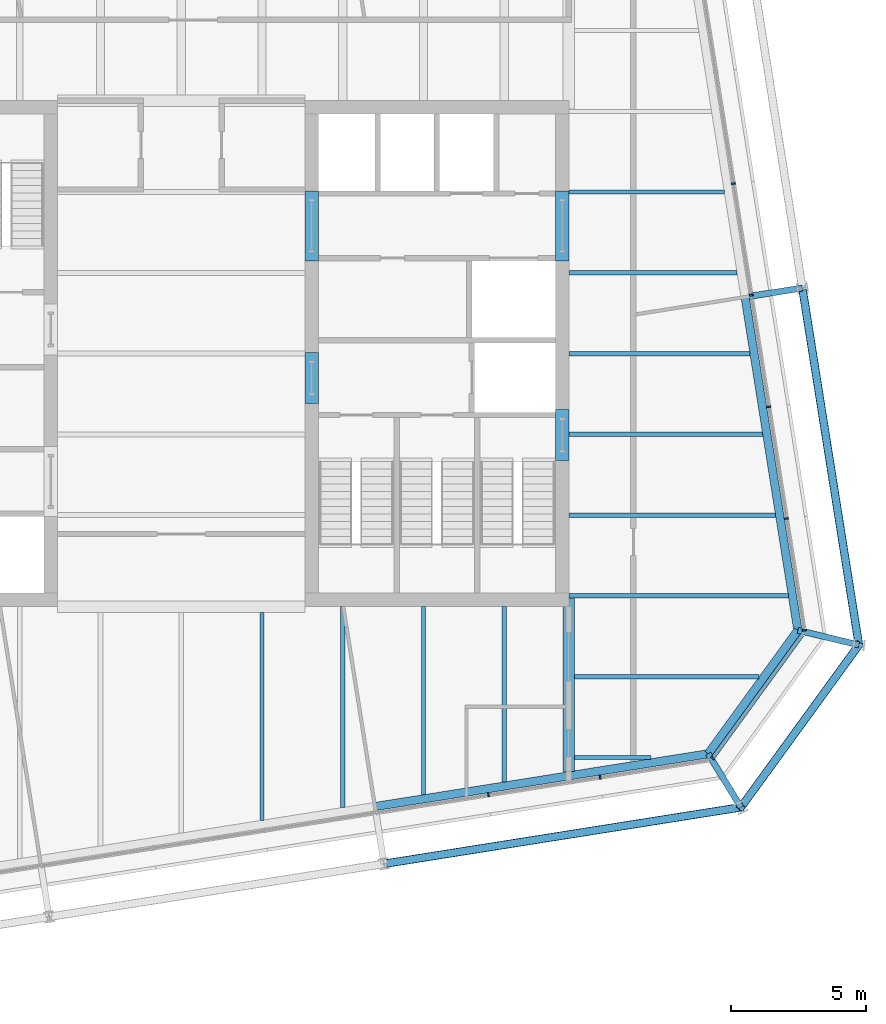
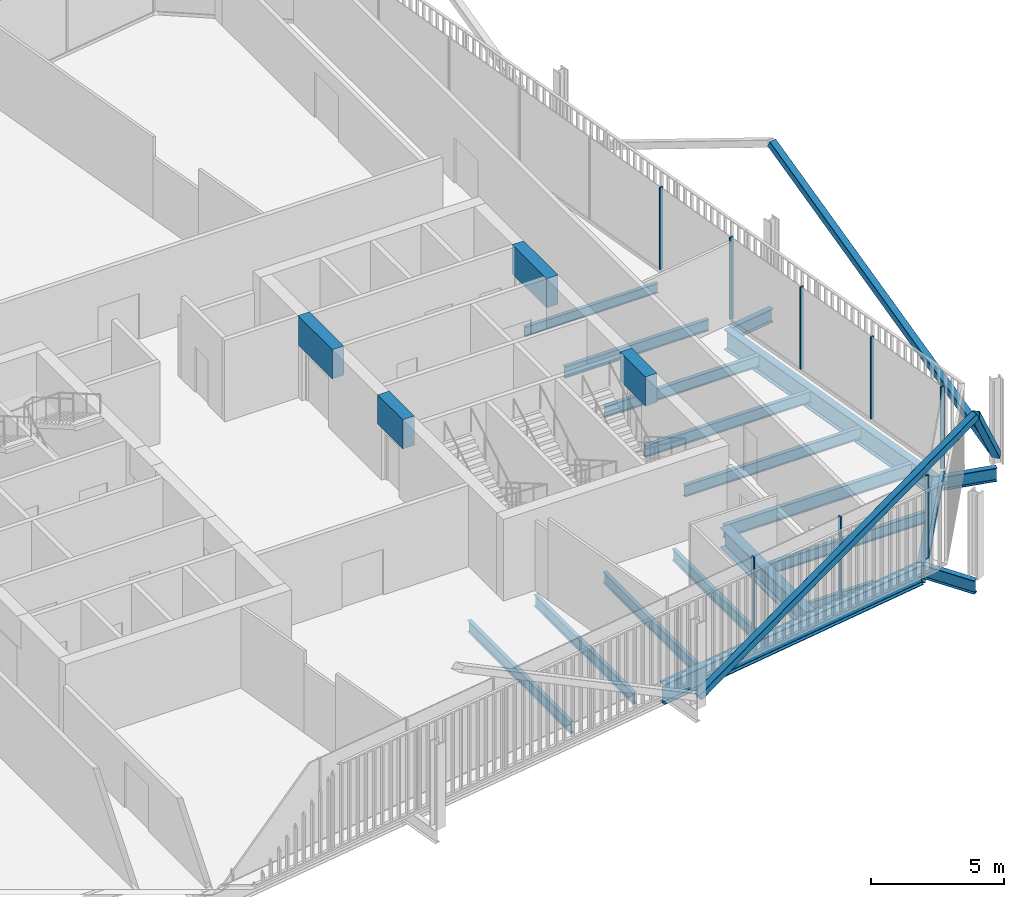
# One storey, part 9 of 21: 23 beams, 12 members, 3 elements without a shape of their own.
"""IFC4 building model written with IfcOpenShell, lengths in metres."""

from ifc_helpers import new_model, si_unit, direction, frame, origin, origin_2d, place, context, subcontext, project, spatial, rectangle, hollow_rectangle, i_section, extrude, material, layer, layer_set, material_profile, profile_set, type_object, element, aggregate, save


model = new_model("IFC4")

# Units and contexts
model_context = context("Model", 3, precision=1e-05, world=origin(), true_north=direction((0.0, 1.0)))
body_context = subcontext(model_context, "Body", "Model", "MODEL_VIEW")
ifc_project = project(units=[si_unit("LENGTHUNIT", "METRE"), si_unit("AREAUNIT", "SQUARE_METRE"), si_unit("VOLUMEUNIT", "CUBIC_METRE"), si_unit("PLANEANGLEUNIT", "RADIAN"), si_unit("MASSUNIT", "GRAM", prefix="KILO")], contexts=[model_context])

# Site, building, storey
site_placement = place(None, origin())
site = spatial("IfcSite", under=ifc_project, at=site_placement, CompositionType="ELEMENT")
building_placement = place(site_placement, origin())
building = spatial("IfcBuilding", under=site, at=building_placement, Name="Millrace Tower", CompositionType="ELEMENT")
storey_placement = place(building_placement, frame((0.0, 0.0, 228.10009765625)))
storey = spatial("IfcBuildingStorey", under=building, at=storey_placement, Name="L52", CompositionType="ELEMENT", Elevation=228.10009765625)

# Curtain wall, members
ifc_material_1 = material(Name="Aluminium and glass", Category="aluminium")
ifc_layer = layer(ifc_material_1, 0.14990234375)
ifc_layer_set = layer_set([ifc_layer], Name="Aluminium and glass")
curtain_wall_type = type_object("IfcCurtainWallType", Name="CW-1 office vision curtain wall", PredefinedType="NOTDEFINED", material=ifc_layer_set)
placement = place(storey_placement, origin())
curtain_wall_1 = element("IfcCurtainWall", 1, at=placement, inside=storey, type_object=curtain_wall_type, Name="Curtain wall D-F02 L52", PredefinedType="NOTDEFINED")
ifc_material_2 = material(Name="Aluminium", Category="aluminium")
ifc_material_profile_1 = material_profile(ifc_material_2, rectangle(XDim=0.06494140625, YDim=0.14990234375, at=origin_2d()))
ifc_profile_set_1 = profile_set([ifc_material_profile_1], Name="Aluminium")
member_type_1 = type_object("IfcMemberType", Name="CW-1 office vision curtain wall mullion", PredefinedType="MULLION", material=ifc_profile_set_1)
member_1_placement = place(storey_placement, frame((11.41259765625, -16.393310546875, 0.139892578125), z_axis=(0.0, 0.0, 1.0), x_axis=(0.987688339511, 0.156434471884, 0.0)))
member_1 = element("IfcMember", 2, at=member_1_placement, type_object=member_type_1, Name="CW1 mullion D-F02.8", PredefinedType="MULLION", context=body_context, shape_type="SweptSolid", body=[
    extrude(rectangle(XDim=0.06494140625, YDim=0.14990234375, at=origin_2d()), origin(), (0.0, 0.0, 1.0), 3.760009765625),
])
member_2_placement = place(storey_placement, frame((15.560791015625, -15.736328125, 0.139892578125), z_axis=(0.0, 0.0, 1.0), x_axis=(0.987688339511, 0.156434471884, 0.0)))
member_2 = element("IfcMember", 3, at=member_2_placement, type_object=member_type_1, Name="CW1 mullion D-F02.9", PredefinedType="MULLION", context=body_context, shape_type="SweptSolid", body=[
    extrude(rectangle(XDim=0.06494140625, YDim=0.14990234375, at=origin_2d()), origin(), (0.0, 0.0, 1.0), 3.760009765625),
])
aggregate(curtain_wall_1, [member_1, member_2])

# Curtain wall, member
curtain_wall_2 = element("IfcCurtainWall", 4, at=placement, inside=storey, type_object=curtain_wall_type, Name="Curtain wall D-F03 L52", PredefinedType="NOTDEFINED")
member_3_placement = place(storey_placement, frame((19.7451171875, -15.028076171875, 0.139892578125), z_axis=(0.0, 0.0, 1.0), x_axis=(0.587785305991, 0.809016955361, 0.0)))
member_3 = element("IfcMember", 5, at=member_3_placement, type_object=member_type_1, Name="CW1 mullion D-F03.1", PredefinedType="MULLION", context=body_context, shape_type="SweptSolid", body=[
    extrude(rectangle(XDim=0.06494140625, YDim=0.14990234375, at=origin_2d()), origin(), (0.0, 0.0, 1.0), 3.760009765625),
])

# Curtain wall, members
curtain_wall_3 = element("IfcCurtainWall", 6, at=placement, inside=storey, type_object=curtain_wall_type, Name="Curtain wall D-F04 L52", PredefinedType="NOTDEFINED")
member_4_placement = place(storey_placement, frame((23.142333984375, -10.275390625, 0.139892578125), z_axis=(0.0, 0.0, 1.0), x_axis=(-0.156434471884, 0.987688339511, 0.0)))
member_4 = element("IfcMember", 7, at=member_4_placement, type_object=member_type_1, Name="CW1 mullion D-F04.1", PredefinedType="MULLION", context=body_context, shape_type="SweptSolid", body=[
    extrude(rectangle(XDim=0.06494140625, YDim=0.14990234375, at=origin_2d()), origin(), (0.0, 0.0, 1.0), 3.760009765625),
])
member_5_placement = place(storey_placement, frame((22.4853515625, -6.127197265625, 0.139892578125), z_axis=(0.0, 0.0, 1.0), x_axis=(-0.156434471884, 0.987688339511, 0.0)))
member_5 = element("IfcMember", 8, at=member_5_placement, type_object=member_type_1, Name="CW1 mullion D-F04.2", PredefinedType="MULLION", context=body_context, shape_type="SweptSolid", body=[
    extrude(rectangle(XDim=0.06494140625, YDim=0.14990234375, at=origin_2d()), origin(), (0.0, 0.0, 1.0), 3.760009765625),
])
member_6_placement = place(storey_placement, frame((21.828369140625, -1.97900390625, 0.139892578125), z_axis=(0.0, 0.0, 1.0), x_axis=(-0.156434471884, 0.987688339511, 0.0)))
member_6 = element("IfcMember", 9, at=member_6_placement, type_object=member_type_1, Name="CW1 mullion D-F04.3", PredefinedType="MULLION", context=body_context, shape_type="SweptSolid", body=[
    extrude(rectangle(XDim=0.06494140625, YDim=0.14990234375, at=origin_2d()), origin(), (0.0, 0.0, 1.0), 3.760009765625),
])
member_7_placement = place(storey_placement, frame((21.17138671875, 2.16943359375, 0.139892578125), z_axis=(0.0, 0.0, 1.0), x_axis=(-0.156434471884, 0.987688339511, 0.0)))
member_7 = element("IfcMember", 10, at=member_7_placement, type_object=member_type_1, Name="CW1 mullion D-F04.4", PredefinedType="MULLION", context=body_context, shape_type="SweptSolid", body=[
    extrude(rectangle(XDim=0.06494140625, YDim=0.14990234375, at=origin_2d()), origin(), (0.0, 0.0, 1.0), 3.760009765625),
])
member_8_placement = place(storey_placement, frame((20.514404296875, 6.317626953125, 0.139892578125), z_axis=(0.0, 0.0, 1.0), x_axis=(-0.156434471884, 0.987688339511, 0.0)))
member_8 = element("IfcMember", 11, at=member_8_placement, type_object=member_type_1, Name="CW1 mullion D-F04.5", PredefinedType="MULLION", context=body_context, shape_type="SweptSolid", body=[
    extrude(rectangle(XDim=0.06494140625, YDim=0.14990234375, at=origin_2d()), origin(), (0.0, 0.0, 1.0), 3.760009765625),
])
aggregate(curtain_wall_3, [member_4, member_5, member_6, member_7, member_8])

# Member
ifc_material_3 = material(Name="Aluminium", Category="aluminium")
ifc_material_profile_2 = material_profile(ifc_material_3, rectangle(XDim=0.14990234375, YDim=0.139892578125, at=origin_2d()))
ifc_profile_set_2 = profile_set([ifc_material_profile_2], Name="Aluminium")
member_type_2 = type_object("IfcMemberType", Name="CW-1 office vision curtain wall transom", PredefinedType="USERDEFINED", material=ifc_profile_set_2)
member_9_placement = place(storey_placement, frame((19.78466796875, -14.973388671875, 0.06982421875), z_axis=(0.587811213399, 0.808998131891, 0.0), x_axis=(-0.808998131891, 0.587811213399, 0.0)))
member_9 = element("IfcMember", 12, at=member_9_placement, type_object=member_type_2, Name="CW1 transom D-F03.1", ObjectType="TRANSOM", PredefinedType="USERDEFINED", context=body_context, shape_type="SweptSolid", body=[
    extrude(rectangle(XDim=0.14990234375, YDim=0.139892578125, at=origin_2d()), origin(), (0.0, 0.0, 1.0), 5.598388671875),
])

aggregate(curtain_wall_2, [member_3, member_9])

# Beams
ifc_material_4 = material(Name="Concrete C60", Category="concrete")
ifc_material_profile_3 = material_profile(ifc_material_4, rectangle(XDim=0.5, YDim=1.340087890625, at=origin_2d()))
ifc_profile_set_3 = profile_set([ifc_material_profile_3], Name="Concrete C60")
beam_type_1 = type_object("IfcBeamType", Name="Coupling beam 500 x 1340 Concrete C60, 1300 opening", PredefinedType="BEAM", material=ifc_profile_set_3)
beam_1_placement = place(storey_placement, frame((14.14990234375, -2.080078125, 3.06982421875), z_axis=(0.0, -1.0, 0.0), x_axis=(1.0, 0.0, 0.0)))
element("IfcBeam", 13, at=beam_1_placement, inside=storey, type_object=beam_type_1, Name="Coupling beam E L52", PredefinedType="BEAM", context=body_context, shape_type="SweptSolid", body=[
    extrude(rectangle(XDim=0.5, YDim=1.340087890625, at=origin_2d()), origin(), (0.0, 0.0, 1.0), 1.89990234375),
])
beam_2_placement = place(storey_placement, frame((4.85009765625, 0.050048828125, 3.06982421875), z_axis=(0.0, -1.0, 0.0), x_axis=(1.0, 0.0, 0.0)))
element("IfcBeam", 14, at=beam_2_placement, inside=storey, type_object=beam_type_1, Name="Coupling beam E L52", PredefinedType="BEAM", context=body_context, shape_type="SweptSolid", body=[
    extrude(rectangle(XDim=0.5, YDim=1.340087890625, at=origin_2d()), origin(), (0.0, 0.0, 1.0), 1.900146484375),
])
ifc_material_5 = material(Name="Concrete C60", Category="concrete")
ifc_material_profile_4 = material_profile(ifc_material_5, rectangle(XDim=0.5, YDim=1.340087890625, at=origin_2d()))
ifc_profile_set_4 = profile_set([ifc_material_profile_4], Name="Concrete C60")
beam_type_2 = type_object("IfcBeamType", Name="Coupling beam 500 x 1340 Concrete C60, 2000 opening", PredefinedType="BEAM", material=ifc_profile_set_4)
for number, where, z_axis, x_axis, name in (
    (15, (14.14990234375, 6.050048828125, 3.06982421875), (0.0, -1.0, 0.0), (1.0, 0.0, 0.0), "Coupling beam E L52"),
    (16, (4.85009765625, 6.050048828125, 3.06982421875), (0.0, -1.0, 0.0), (1.0, 0.0, 0.0), "Coupling beam E L52"),
):
    element("IfcBeam", number, at=place(storey_placement, frame(where, z_axis=z_axis, x_axis=x_axis)), inside=storey, type_object=beam_type_2, Name=name, PredefinedType="BEAM", context=body_context, shape_type="SweptSolid", body=[
        extrude(rectangle(XDim=0.5, YDim=1.340087890625, at=origin_2d()), origin(), (0.0, 0.0, 1.0), 2.60009765625),
    ])

# Members
ifc_material_6 = material(Name="Steel ASTM A500 Grade C", Category="steel")
ifc_material_profile_5 = material_profile(ifc_material_6, hollow_rectangle(XDim=0.3046875, YDim=0.3046875, WallThickness=0.0126953125, InnerFilletRadius=0.00634765625, OuterFilletRadius=0.01904296875, at=origin_2d()))
ifc_profile_set_5 = profile_set([ifc_material_profile_5], Name="Steel ASTM A500 Grade C")
member_type_3 = type_object("IfcMemberType", Name="Exoskeleton brace HSS12x12x1/2", PredefinedType="BRACE", material=ifc_profile_set_5)
member_10_placement = place(storey_placement, frame((7.533203125, -18.956787109375, 0.39990234375), z_axis=(0.875833559472, 0.13872819238, 0.462244594065), x_axis=(-0.156445228811, 0.987686635721, 0.0)))
element("IfcMember", 17, at=member_10_placement, inside=storey, type_object=member_type_3, Name="BRC-D-L52-04", PredefinedType="BRACE", context=body_context, shape_type="SweptSolid", body=[
    extrude(hollow_rectangle(XDim=0.3046875, YDim=0.3046875, WallThickness=0.0126953125, InnerFilletRadius=0.00634765625, OuterFilletRadius=0.01904296875, at=origin_2d()), origin(), (0.0, 0.0, 1.0), 15.1435546875),
])
member_11_placement = place(storey_placement, frame((25.178466796875, -10.82470703125, 0.39990234375), z_axis=(-0.42850795905, -0.589774395252, 0.684504997598), x_axis=(0.809009310944, -0.587795827483, 0.0)))
element("IfcMember", 18, at=member_11_placement, inside=storey, type_object=member_type_3, Name="BRC-D-L52-05", PredefinedType="BRACE", context=body_context, shape_type="SweptSolid", body=[
    extrude(hollow_rectangle(XDim=0.3046875, YDim=0.3046875, WallThickness=0.0126953125, InnerFilletRadius=0.00634765625, OuterFilletRadius=0.01904296875, at=origin_2d()), origin(), (0.0, 0.0, 1.0), 10.226318359375),
])
member_12_placement = place(storey_placement, frame((25.178466796875, -10.82470703125, 0.39990234375), z_axis=(-0.13872819238, 0.875833559472, 0.462244594065), x_axis=(-0.987686635721, -0.156445228811, 0.0)))
element("IfcMember", 19, at=member_12_placement, inside=storey, type_object=member_type_3, Name="BRC-D-L52-06", PredefinedType="BRACE", context=body_context, shape_type="SweptSolid", body=[
    extrude(hollow_rectangle(XDim=0.3046875, YDim=0.3046875, WallThickness=0.0126953125, InnerFilletRadius=0.00634765625, OuterFilletRadius=0.01904296875, at=origin_2d()), origin(), (0.0, 0.0, 1.0), 15.1435546875),
])

# Beams
ifc_material_7 = material(Name="Steel ASTM A992 Grade 50", Category="steel")
ifc_material_profile_6 = material_profile(ifc_material_7, i_section(OverallWidth=0.15234375, OverallDepth=0.449462890625, WebThickness=0.007568359375, FlangeThickness=0.0107421875, FilletRadius=0.01025390625, at=origin_2d()))
ifc_profile_set_6 = profile_set([ifc_material_profile_6], Name="Steel ASTM A992 Grade 50")
beam_type_3 = type_object("IfcBeamType", Name="Floor beam W18x35", PredefinedType="JOIST", material=ifc_profile_set_6)
beam_3_placement = place(storey_placement, frame((14.39990234375, 6.0, -0.384765625), z_axis=(1.0, 0.0, 0.0), x_axis=(0.0, 1.0, 0.0)))
element("IfcBeam", 20, at=beam_3_placement, inside=storey, type_object=beam_type_3, Name="BM-D-L52-S1-S022", PredefinedType="JOIST", context=body_context, shape_type="SweptSolid", body=[
    extrude(i_section(OverallWidth=0.15234375, OverallDepth=0.449462890625, WebThickness=0.007568359375, FlangeThickness=0.0107421875, FilletRadius=0.01025390625, at=origin_2d()), origin(), (0.0, 0.0, 1.0), 5.777587890625),
])
beam_4_placement = place(storey_placement, frame((14.609619140625, -15.0, -0.384765625), z_axis=(1.0, 0.0, 0.0), x_axis=(0.0, 1.0, 0.0)))
element("IfcBeam", 21, at=beam_4_placement, inside=storey, type_object=beam_type_3, Name="BM-D-L52-S1-S003", PredefinedType="JOIST", context=body_context, shape_type="SweptSolid", body=[
    extrude(i_section(OverallWidth=0.15234375, OverallDepth=0.449462890625, WebThickness=0.007568359375, FlangeThickness=0.0107421875, FilletRadius=0.01025390625, at=origin_2d()), origin(), (0.0, 0.0, 1.0), 2.839599609375),
])
ifc_material_8 = material(Name="Steel ASTM A992 Grade 50", Category="steel")
ifc_material_profile_7 = material_profile(ifc_material_8, i_section(OverallWidth=0.1650390625, OverallDepth=0.52587890625, WebThickness=0.0087890625, FlangeThickness=0.011474609375, FilletRadius=0.0126953125, at=origin_2d()))
ifc_profile_set_7 = profile_set([ifc_material_profile_7], Name="Steel ASTM A992 Grade 50")
beam_type_4 = type_object("IfcBeamType", Name="Floor beam W21x44", PredefinedType="JOIST", material=ifc_profile_set_7)
beam_5_placement = place(storey_placement, frame((14.609619140625, -12.0, -0.423095703125), z_axis=(1.0, 0.0, 0.0), x_axis=(0.0, 1.0, 0.0)))
element("IfcBeam", 22, at=beam_5_placement, inside=storey, type_object=beam_type_4, Name="BM-D-L52-S1-S005", PredefinedType="JOIST", context=body_context, shape_type="SweptSolid", body=[
    extrude(i_section(OverallWidth=0.1650390625, OverallDepth=0.52587890625, WebThickness=0.0087890625, FlangeThickness=0.011474609375, FilletRadius=0.0126953125, at=origin_2d()), origin(), (0.0, 0.0, 1.0), 6.86279296875),
])
beam_6_placement = place(storey_placement, frame((14.39990234375, -6.0, -0.423095703125), z_axis=(1.0, 0.0, 0.0), x_axis=(0.0, 1.0, 0.0)))
element("IfcBeam", 23, at=beam_6_placement, inside=storey, type_object=beam_type_4, Name="BM-D-L52-S1-S010", PredefinedType="JOIST", context=body_context, shape_type="SweptSolid", body=[
    extrude(i_section(OverallWidth=0.1650390625, OverallDepth=0.52587890625, WebThickness=0.0087890625, FlangeThickness=0.011474609375, FilletRadius=0.0126953125, at=origin_2d()), origin(), (0.0, 0.0, 1.0), 7.67822265625),
])
beam_7_placement = place(storey_placement, frame((14.39990234375, -3.0, -0.423095703125), z_axis=(1.0, 0.0, 0.0), x_axis=(0.0, 1.0, 0.0)))
element("IfcBeam", 24, at=beam_7_placement, inside=storey, type_object=beam_type_4, Name="BM-D-L52-S1-S013", PredefinedType="JOIST", context=body_context, shape_type="SweptSolid", body=[
    extrude(i_section(OverallWidth=0.1650390625, OverallDepth=0.52587890625, WebThickness=0.0087890625, FlangeThickness=0.011474609375, FilletRadius=0.0126953125, at=origin_2d()), origin(), (0.0, 0.0, 1.0), 7.203125),
])
beam_8_placement = place(storey_placement, frame((14.39990234375, 0.0, -0.423095703125), z_axis=(1.0, 0.0, 0.0), x_axis=(0.0, 1.0, 0.0)))
element("IfcBeam", 25, at=beam_8_placement, inside=storey, type_object=beam_type_4, Name="BM-D-L52-S1-S016", PredefinedType="JOIST", context=body_context, shape_type="SweptSolid", body=[
    extrude(i_section(OverallWidth=0.1650390625, OverallDepth=0.52587890625, WebThickness=0.0087890625, FlangeThickness=0.011474609375, FilletRadius=0.0126953125, at=origin_2d()), origin(), (0.0, 0.0, 1.0), 6.72802734375),
])
beam_9_placement = place(storey_placement, frame((14.39990234375, 3.0, -0.423095703125), z_axis=(1.0, 0.0, 0.0), x_axis=(0.0, 1.0, 0.0)))
element("IfcBeam", 26, at=beam_9_placement, inside=storey, type_object=beam_type_4, Name="BM-D-L52-S1-S019", PredefinedType="JOIST", context=body_context, shape_type="SweptSolid", body=[
    extrude(i_section(OverallWidth=0.1650390625, OverallDepth=0.52587890625, WebThickness=0.0087890625, FlangeThickness=0.011474609375, FilletRadius=0.0126953125, at=origin_2d()), origin(), (0.0, 0.0, 1.0), 6.252685546875),
])
beam_10_placement = place(storey_placement, frame((3.0, -17.338623046875, -0.423095703125), z_axis=(0.0, 1.0, 0.0), x_axis=(-1.0, 0.0, 0.0)))
element("IfcBeam", 27, at=beam_10_placement, inside=storey, type_object=beam_type_4, Name="BM-D-L52-S1-S047", PredefinedType="JOIST", context=body_context, shape_type="SweptSolid", body=[
    extrude(i_section(OverallWidth=0.1650390625, OverallDepth=0.52587890625, WebThickness=0.0087890625, FlangeThickness=0.011474609375, FilletRadius=0.0126953125, at=origin_2d()), origin(), (0.0, 0.0, 1.0), 7.72900390625),
])
beam_11_placement = place(storey_placement, frame((6.0, -16.863525390625, -0.423095703125), z_axis=(0.0, 1.0, 0.0), x_axis=(-1.0, 0.0, 0.0)))
element("IfcBeam", 28, at=beam_11_placement, inside=storey, type_object=beam_type_4, Name="BM-D-L52-S1-S049", PredefinedType="JOIST", context=body_context, shape_type="SweptSolid", body=[
    extrude(i_section(OverallWidth=0.1650390625, OverallDepth=0.52587890625, WebThickness=0.0087890625, FlangeThickness=0.011474609375, FilletRadius=0.0126953125, at=origin_2d()), origin(), (0.0, 0.0, 1.0), 7.463623046875),
])
beam_12_placement = place(storey_placement, frame((9.0, -16.38818359375, -0.423095703125), z_axis=(0.0, 1.0, 0.0), x_axis=(-1.0, 0.0, 0.0)))
element("IfcBeam", 29, at=beam_12_placement, inside=storey, type_object=beam_type_4, Name="BM-D-L52-S1-S051", PredefinedType="JOIST", context=body_context, shape_type="SweptSolid", body=[
    extrude(i_section(OverallWidth=0.1650390625, OverallDepth=0.52587890625, WebThickness=0.0087890625, FlangeThickness=0.011474609375, FilletRadius=0.0126953125, at=origin_2d()), origin(), (0.0, 0.0, 1.0), 6.98828125),
])
beam_13_placement = place(storey_placement, frame((12.0, -15.9130859375, -0.423095703125), z_axis=(0.0, 1.0, 0.0), x_axis=(-1.0, 0.0, 0.0)))
element("IfcBeam", 30, at=beam_13_placement, inside=storey, type_object=beam_type_4, Name="BM-D-L52-S1-S053", PredefinedType="JOIST", context=body_context, shape_type="SweptSolid", body=[
    extrude(i_section(OverallWidth=0.1650390625, OverallDepth=0.52587890625, WebThickness=0.0087890625, FlangeThickness=0.011474609375, FilletRadius=0.0126953125, at=origin_2d()), origin(), (0.0, 0.0, 1.0), 6.51318359375),
])
ifc_material_9 = material(Name="Steel ASTM A992 Grade 50", Category="steel")
ifc_material_profile_8 = material_profile(ifc_material_9, i_section(OverallWidth=0.177978515625, OverallDepth=0.599365234375, WebThickness=0.010009765625, FlangeThickness=0.012939453125, FilletRadius=0.012939453125, at=origin_2d()))
ifc_profile_set_8 = profile_set([ifc_material_profile_8], Name="Steel ASTM A992 Grade 50")
beam_type_5 = type_object("IfcBeamType", Name="Floor beam W24x55", PredefinedType="JOIST", material=ifc_profile_set_8)
beam_14_placement = place(storey_placement, frame((14.39990234375, -9.0, -0.459716796875), z_axis=(1.0, 0.0, 0.0), x_axis=(0.0, 1.0, 0.0)))
element("IfcBeam", 31, at=beam_14_placement, inside=storey, type_object=beam_type_5, Name="BM-D-L52-S1-S007", PredefinedType="JOIST", context=body_context, shape_type="SweptSolid", body=[
    extrude(i_section(OverallWidth=0.177978515625, OverallDepth=0.599365234375, WebThickness=0.010009765625, FlangeThickness=0.012939453125, FilletRadius=0.012939453125, at=origin_2d()), origin(), (0.0, 0.0, 1.0), 8.1533203125),
])
ifc_material_10 = material(Name="Steel ASTM A992 Grade 50", Category="steel")
ifc_material_profile_9 = material_profile(ifc_material_10, i_section(OverallWidth=0.419189453125, OverallDepth=0.927001953125, WebThickness=0.019287109375, FlangeThickness=0.031982421875, FilletRadius=0.024169921875, at=origin_2d()))
ifc_profile_set_9 = profile_set([ifc_material_profile_9], Name="Steel ASTM A992 Grade 50")
beam_type_6 = type_object("IfcBeamType", Name="Girder short span W36x231", PredefinedType="BEAM", material=ifc_profile_set_9)
beam_15_placement = place(storey_placement, frame((14.39990234375, -15.52490234375, -0.62353515625), z_axis=(0.0, 1.0, 0.0), x_axis=(-1.0, 0.0, 0.0)))
element("IfcBeam", 32, at=beam_15_placement, inside=storey, type_object=beam_type_6, Name="BM-D-L52-S1-G057", PredefinedType="BEAM", context=body_context, shape_type="SweptSolid", body=[
    extrude(i_section(OverallWidth=0.419189453125, OverallDepth=0.927001953125, WebThickness=0.019287109375, FlangeThickness=0.031982421875, FilletRadius=0.024169921875, at=origin_2d()), origin(), (0.0, 0.0, 1.0), 6.432861328125),
])
ifc_material_11 = material(Name="Steel ASTM A992 Grade 50", Category="steel")
ifc_material_profile_10 = material_profile(ifc_material_11, i_section(OverallWidth=0.23046875, OverallDepth=0.6171875, WebThickness=0.01318359375, FlangeThickness=0.022216796875, FilletRadius=0.012939453125, at=origin_2d()))
ifc_profile_set_10 = profile_set([ifc_material_profile_10], Name="Steel ASTM A992 Grade 50")
beam_type_7 = type_object("IfcBeamType", Name="Link beam W24x94", PredefinedType="BEAM", material=ifc_profile_set_10)
beam_16_placement = place(storey_placement, frame((21.102294921875, 2.12548828125, -0.46875), z_axis=(0.987678691416, 0.156495375404, 0.0), x_axis=(-0.156495375404, 0.987678691416, 0.0)))
element("IfcBeam", 33, at=beam_16_placement, inside=storey, type_object=beam_type_7, Name="LNK-D-L52-S1-11", PredefinedType="BEAM", context=body_context, shape_type="SweptSolid", body=[
    extrude(i_section(OverallWidth=0.23046875, OverallDepth=0.6171875, WebThickness=0.01318359375, FlangeThickness=0.022216796875, FilletRadius=0.012939453125, at=origin_2d()), origin(), (0.0, 0.0, 1.0), 2.0),
])
beam_17_placement = place(storey_placement, frame((22.91162109375, -10.280517578125, -0.46875), z_axis=(0.972373041068, -0.233432364948, 0.0), x_axis=(0.233432364948, 0.972373041068, 0.0)))
element("IfcBeam", 34, at=beam_17_placement, inside=storey, type_object=beam_type_7, Name="LNK-D-L52-S1-12", PredefinedType="BEAM", context=body_context, shape_type="SweptSolid", body=[
    extrude(i_section(OverallWidth=0.23046875, OverallDepth=0.6171875, WebThickness=0.01318359375, FlangeThickness=0.022216796875, FilletRadius=0.012939453125, at=origin_2d()), origin(), (0.0, 0.0, 1.0), 2.331298828125),
])
beam_18_placement = place(storey_placement, frame((19.578369140625, -14.868408203125, -0.46875), z_axis=(0.522512938711, -0.852631355792, 0.0), x_axis=(0.852631355792, 0.522512938711, 0.0)))
element("IfcBeam", 35, at=beam_18_placement, inside=storey, type_object=beam_type_7, Name="LNK-D-L52-S1-13", PredefinedType="BEAM", context=body_context, shape_type="SweptSolid", body=[
    extrude(i_section(OverallWidth=0.23046875, OverallDepth=0.6171875, WebThickness=0.01318359375, FlangeThickness=0.022216796875, FilletRadius=0.012939453125, at=origin_2d()), origin(), (0.0, 0.0, 1.0), 2.3310546875),
])
ifc_material_12 = material(Name="Steel ASTM A992 Grade 50", Category="steel")
ifc_material_profile_11 = material_profile(ifc_material_12, i_section(OverallWidth=0.307373046875, OverallDepth=0.927001953125, WebThickness=0.01953125, FlangeThickness=0.031982421875, FilletRadius=0.01904296875, at=origin_2d()))
ifc_profile_set_11 = profile_set([ifc_material_profile_11], Name="Steel ASTM A992 Grade 50")
beam_type_8 = type_object("IfcBeamType", Name="Ring beam medium span W36x194", PredefinedType="SPANDREL", material=ifc_profile_set_11)
for number, where, z_axis, x_axis, name in (
    (36, (20.95068359375, 2.1015625, -0.62353515625), (0.156419577072, -0.987690698503, 0.0), (0.987690698503, 0.156419577072, 0.0), "RNG-D-L52-S1-11"),
    (37, (19.578369140625, -14.868408203125, -0.62353515625), (-0.987687689625, -0.156438575049, 0.0), (0.156438575049, -0.987687689625, 0.0), "RNG-D-L52-S1-13"),
):
    element("IfcBeam", number, at=place(storey_placement, frame(where, z_axis=z_axis, x_axis=x_axis)), inside=storey, type_object=beam_type_8, Name=name, PredefinedType="SPANDREL", context=body_context, shape_type="SweptSolid", body=[
        extrude(i_section(OverallWidth=0.307373046875, OverallDepth=0.927001953125, WebThickness=0.01953125, FlangeThickness=0.031982421875, FilletRadius=0.01904296875, at=origin_2d()), origin(), (0.0, 0.0, 1.0), 12.536376953125),
    ])
ifc_material_13 = material(Name="Steel ASTM A992 Grade 50", Category="steel")
ifc_material_profile_12 = material_profile(ifc_material_13, i_section(OverallWidth=0.307373046875, OverallDepth=0.927001953125, WebThickness=0.01953125, FlangeThickness=0.031982421875, FilletRadius=0.01904296875, at=origin_2d()))
ifc_profile_set_12 = profile_set([ifc_material_profile_12], Name="Steel ASTM A992 Grade 50")
beam_type_9 = type_object("IfcBeamType", Name="Ring beam short span W36x194", PredefinedType="SPANDREL", material=ifc_profile_set_12)
beam_19_placement = place(storey_placement, frame((22.91162109375, -10.280517578125, -0.62353515625), z_axis=(-0.587779977844, -0.80902082646, 0.0), x_axis=(0.80902082646, -0.587779977844, 0.0)))
element("IfcBeam", 38, at=beam_19_placement, inside=storey, type_object=beam_type_9, Name="RNG-D-L52-S1-12", PredefinedType="SPANDREL", context=body_context, shape_type="SweptSolid", body=[
    extrude(i_section(OverallWidth=0.307373046875, OverallDepth=0.927001953125, WebThickness=0.01953125, FlangeThickness=0.031982421875, FilletRadius=0.01904296875, at=origin_2d()), origin(), (0.0, 0.0, 1.0), 5.6708984375),
])

save(model, "model.ifc")
